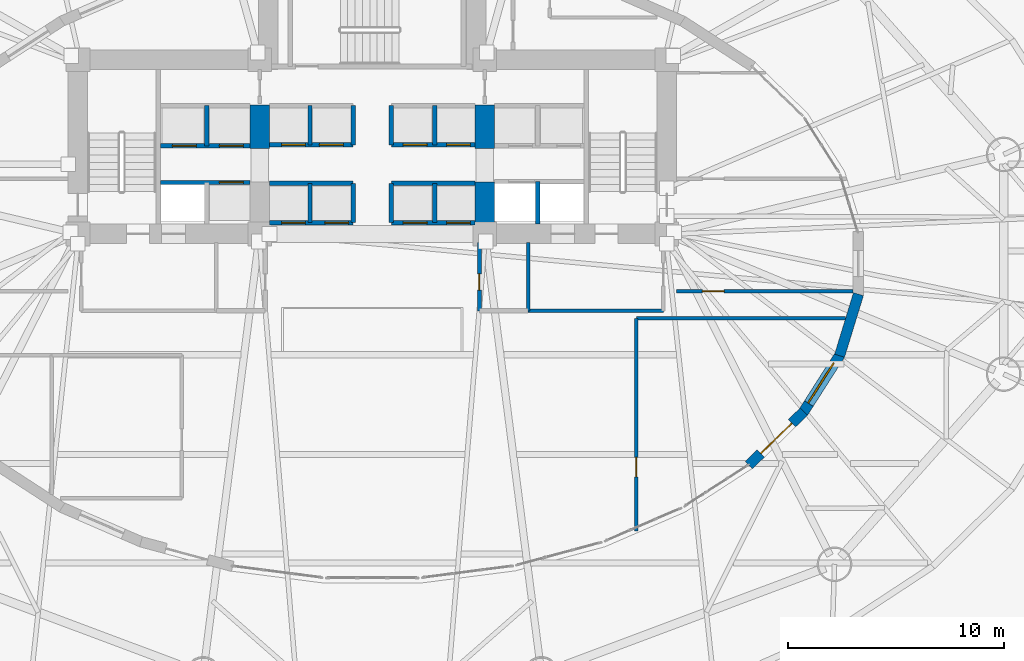
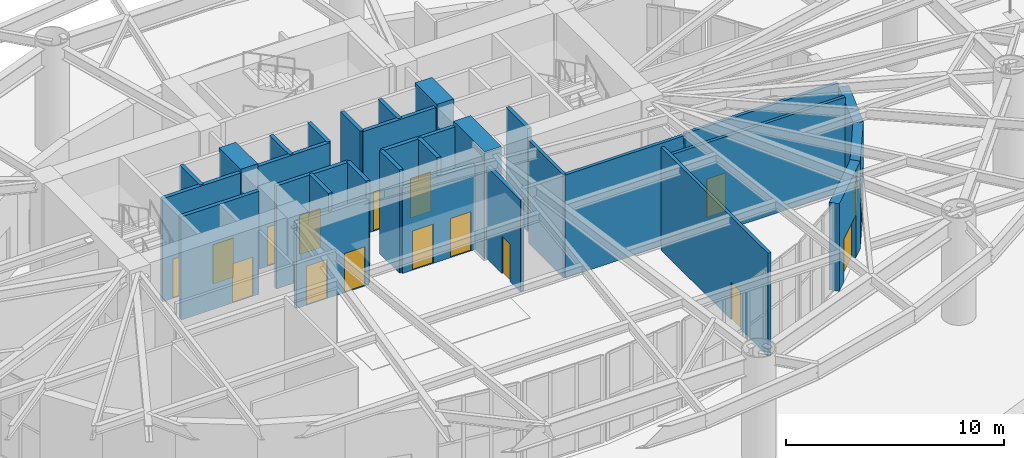
# One storey, part 14 of 21: 30 walls, 15 doors, 1 window, 16 openings.
"""IFC4 building model written with IfcOpenShell, lengths in metres."""

from ifc_helpers import new_model, si_unit, direction, frame, frame_2d, origin, place, context, subcontext, project, spatial, rectangle, extrude, material, layer, layer_set, type_object, element, fill, save


model = new_model("IFC4")

# Units and contexts
model_context = context("Model", 3, precision=1e-05, world=origin(), true_north=direction((0.0, 1.0)))
body_context = subcontext(model_context, "Body", "Model", "MODEL_VIEW")
ifc_project = project(units=[si_unit("LENGTHUNIT", "METRE"), si_unit("AREAUNIT", "SQUARE_METRE"), si_unit("VOLUMEUNIT", "CUBIC_METRE"), si_unit("PLANEANGLEUNIT", "RADIAN"), si_unit("MASSUNIT", "GRAM", prefix="KILO")], contexts=[model_context])

# Site, building, storey
site_placement = place(None, origin())
site = spatial("IfcSite", under=ifc_project, at=site_placement, CompositionType="ELEMENT")
building_placement = place(site_placement, origin())
building = spatial("IfcBuilding", under=site, at=building_placement, Name="Keldmark Tower", CompositionType="ELEMENT")
storey_placement = place(building_placement, origin())
storey = spatial("IfcBuildingStorey", under=building, at=storey_placement, Name="L00", CompositionType="ELEMENT", Elevation=0.0)

# Walls
ifc_material_1 = material(Name="Concrete C70/85", Category="concrete")
ifc_layer_1 = layer(ifc_material_1, 0.89990234375)
ifc_layer_set_1 = layer_set([ifc_layer_1], Name="Concrete C70/85")
wall_type_1 = type_object("IfcWallType", Name="Lower Core Shear Wall 900 mm", PredefinedType="SHEAR", material=ifc_layer_set_1)
wall_1_placement = place(storey_placement, frame((-5.199951171875, 5.35009765625, 0.0), z_axis=(0.0, 0.0, 1.0), x_axis=(0.0, 1.0, 0.0)))
element("IfcWall", 1, at=wall_1_placement, inside=storey, type_object=wall_type_1, Name="L00 West Core Inner Shear Pier North", PredefinedType="SHEAR", context=body_context, shape_type="SweptSolid", body=[
    extrude(rectangle(XDim=2.0, YDim=0.89990234375, at=frame_2d((1.0, 0.0))), origin(), (0.0, 0.0, 1.0), 6.0),
])
wall_2_placement = place(storey_placement, frame((5.199951171875, 0.949951171875, 0.0), z_axis=(0.0, 0.0, 1.0), x_axis=(0.0, 1.0, 0.0)))
element("IfcWall", 2, at=wall_2_placement, inside=storey, type_object=wall_type_1, Name="L00 East Core Inner Shear Pier South", PredefinedType="SHEAR", context=body_context, shape_type="SweptSolid", body=[
    extrude(rectangle(XDim=2.85009765625, YDim=0.89990234375, at=frame_2d((1.425048828125, 0.0))), origin(), (0.0, 0.0, 1.0), 6.0),
])
wall_3_placement = place(storey_placement, frame((5.199951171875, 5.35009765625, 0.0), z_axis=(0.0, 0.0, 1.0), x_axis=(0.0, 1.0, 0.0)))
element("IfcWall", 3, at=wall_3_placement, inside=storey, type_object=wall_type_1, Name="L00 East Core Inner Shear Pier North", PredefinedType="SHEAR", context=body_context, shape_type="SweptSolid", body=[
    extrude(rectangle(XDim=2.0, YDim=0.89990234375, at=frame_2d((1.0, 0.0))), origin(), (0.0, 0.0, 1.0), 6.0),
])

# Wall, opening, door
ifc_material_2 = material(Name="Ironspot Manganese Brick and Kasota Buff Limestone Cavity Assembly", Category="masonry")
ifc_layer_2 = layer(ifc_material_2, 0.47998046875)
ifc_layer_set_2 = layer_set([ifc_layer_2], Name="Ironspot Manganese Brick and Kasota Buff Limestone Cavity Assembly")
wall_type_2 = type_object("IfcWallType", Name="Podium Brick and Limestone Cavity Wall 480 mm", PredefinedType="STANDARD", material=ifc_layer_set_2)
wall_4_placement = place(storey_placement, frame((19.940673828125, -6.8046875, 0.0), z_axis=(0.0, 0.0, 1.0), x_axis=(-0.717307843808, -0.696756382971, 0.0)))
wall_4 = element("IfcWall", 4, at=wall_4_placement, inside=storey, type_object=wall_type_2, Name="L00 Wintergarden Brick Pier Wall 29", PredefinedType="STANDARD", context=body_context, shape_type="SweptSolid", body=[
    extrude(rectangle(XDim=3.552001953125, YDim=0.47998046875, at=frame_2d((1.77587890625, 0.0))), origin(), (0.0, 0.0, 1.0), 4.9130859375),
])
opening_1_placement = place(wall_4_placement, frame((0.77587890625, 0.0, 0.0)))
opening_1 = element("IfcOpeningElement", 5, at=opening_1_placement, cuts=wall_4, Name="Opening ED-01", PredefinedType="OPENING", context=body_context, shape_type="SweptSolid", body=[
    extrude(rectangle(XDim=2.0, YDim=2.39990234375, at=frame_2d((1.0, 1.199951171875))), frame((0.0, 0.25, 0.0), z_axis=(0.0, -1.0, 0.0), x_axis=(1.0, 0.0, 0.0)), (0.0, 0.0, 1.0), 0.5),
])
ifc_material_3 = material(Name="Thermally Broken Painted Aluminum and Laminated Safety Glass", Category="aluminium")
door_type_1 = type_object("IfcDoorType", Name="Main Revolving Vestibule Swing Door 2000x2400", OperationType="DOUBLE_DOOR_DOUBLE_SWING", PredefinedType="DOOR", material=ifc_material_3)
door_1_placement = place(opening_1_placement, origin())
door_1 = element("IfcDoor", 6, at=door_1_placement, inside=storey, type_object=door_type_1, Name="L00 Marquette Plaza Main Entrance Door East", OperationType="DOUBLE_DOOR_DOUBLE_SWING", OverallHeight=2.39990234375, OverallWidth=2.0, PredefinedType="DOOR", context=body_context, shape_type="SweptSolid", body=[
    extrude(rectangle(XDim=2.0, YDim=2.39990234375, at=frame_2d((1.0, 1.199951171875))), frame((0.0, 0.02490234375, 0.0), z_axis=(0.0, -1.0, 0.0), x_axis=(1.0, 0.0, 0.0)), (0.0, 0.0, 1.0), 0.050048828125),
])
fill(opening_1, door_1)

# Wall, opening, window
wall_5_placement = place(storey_placement, frame((21.615966796875, -4.1669921875, 0.0), z_axis=(0.0, 0.0, 1.0), x_axis=(-0.537898487212, -0.843009618839, 0.0)))
wall_5 = element("IfcWall", 7, at=wall_5_placement, inside=storey, type_object=wall_type_2, Name="L00 Wintergarden Brick Pier Wall 30", PredefinedType="STANDARD", context=body_context, shape_type="SweptSolid", body=[
    extrude(rectangle(XDim=3.179931640625, YDim=0.47998046875, at=frame_2d((1.58984375, 0.0))), origin(), (0.0, 0.0, 1.0), 4.9130859375),
])
opening_2_placement = place(wall_5_placement, frame((0.489990234375, 0.0, 0.85009765625)))
opening_2 = element("IfcOpeningElement", 8, at=opening_2_placement, cuts=wall_5, Name="Opening W-01", PredefinedType="OPENING", context=body_context, shape_type="SweptSolid", body=[
    extrude(rectangle(XDim=2.199951171875, YDim=1.949951171875, at=frame_2d((1.10009765625, 0.97509765625))), frame((0.0, 0.25, 0.0), z_axis=(0.0, -1.0, 0.0), x_axis=(1.0, 0.0, 0.0)), (0.0, 0.0, 1.0), 0.5),
])
ifc_material_4 = material(Name="Thermally Broken Anodized Aluminum and Triple Low-E Argon Glazing", Category="aluminium")
window_type = type_object("IfcWindowType", Name="Podium Arched-Head Punched Window 2200x1950", PartitioningType="SINGLE_PANEL", PredefinedType="WINDOW", material=ifc_material_4)
window_placement = place(opening_2_placement, origin())
window = element("IfcWindow", 9, at=window_placement, inside=storey, type_object=window_type, Name="L00 Wintergarden Punched Window 30", OverallHeight=1.949951171875, OverallWidth=2.199951171875, PartitioningType="SINGLE_PANEL", PredefinedType="WINDOW", context=body_context, shape_type="SweptSolid", body=[
    extrude(rectangle(XDim=2.199951171875, YDim=1.949951171875, at=frame_2d((1.10009765625, 0.97509765625))), frame((0.0, -0.010009765625, 0.0), z_axis=(0.0, -1.0, 0.0), x_axis=(1.0, 0.0, 0.0)), (0.0, 0.0, 1.0), 0.06005859375),
])
fill(opening_2, window)

# Walls
wall_6_placement = place(storey_placement, frame((22.460693359375, -1.38037109375, 0.0), z_axis=(0.0, 0.0, 1.0), x_axis=(-0.29302499195, -0.956104781963, 0.0)))
element("IfcWall", 10, at=wall_6_placement, inside=storey, type_object=wall_type_2, Name="L00 Wintergarden Brick Pier Wall 31", PredefinedType="STANDARD", context=body_context, shape_type="SweptSolid", body=[
    extrude(rectangle(XDim=2.97607421875, YDim=0.47998046875, at=frame_2d((1.488037109375, 0.0))), origin(), (0.0, 0.0, 1.0), 4.9130859375),
])
ifc_material_5 = material(Name="Type X Fire-Rated Gypsum Partition Assembly", Category="gypsum")
ifc_layer_3 = layer(ifc_material_5, 0.1650390625)
ifc_layer_set_3 = layer_set([ifc_layer_3], Name="Type X Fire-Rated Gypsum Partition Assembly")
wall_type_3 = type_object("IfcWallType", Name="Rated Partition 165 mm", PredefinedType="PARTITIONING", material=ifc_layer_set_3)
wall_7_placement = place(storey_placement, frame((7.199951171875, -2.14990234375, 0.0), z_axis=(0.0, 0.0, 1.0), x_axis=(1.0, 0.0, 0.0)))
element("IfcWall", 11, at=wall_7_placement, inside=storey, type_object=wall_type_3, Name="L00 Rated Partition 165 mm FSAE-E-S", PredefinedType="PARTITIONING", context=body_context, shape_type="SweptSolid", body=[
    extrude(rectangle(XDim=6.25, YDim=0.1650390625, at=frame_2d((3.125, 0.0))), origin(), (0.0, 0.0, 1.0), 5.780029296875),
])
wall_8_placement = place(storey_placement, frame((7.199951171875, -2.14990234375, 0.0), z_axis=(0.0, 0.0, 1.0), x_axis=(0.0, 1.0, 0.0)))
element("IfcWall", 12, at=wall_8_placement, inside=storey, type_object=wall_type_3, Name="L00 Rated Partition 165 mm FSAE-E-W", PredefinedType="PARTITIONING", context=body_context, shape_type="SweptSolid", body=[
    extrude(rectangle(XDim=3.14990234375, YDim=0.1650390625, at=frame_2d((1.574951171875, 0.0))), origin(), (0.0, 0.0, 1.0), 5.780029296875),
])

# Wall, opening, door
wall_9_placement = place(storey_placement, frame((12.199951171875, -12.320068359375, 0.0), z_axis=(0.0, 0.0, 1.0), x_axis=(0.0, 1.0, 0.0)))
wall_9 = element("IfcWall", 13, at=wall_9_placement, inside=storey, type_object=wall_type_3, Name="L00 Rated Partition 165 mm RET-E-W", PredefinedType="PARTITIONING", context=body_context, shape_type="SweptSolid", body=[
    extrude(rectangle(XDim=9.820068359375, YDim=0.1650390625, at=frame_2d((4.91015625, 0.0))), origin(), (0.0, 0.0, 1.0), 5.780029296875),
])
opening_3_placement = place(wall_9_placement, frame((2.5, 0.0, 0.0)))
opening_3 = element("IfcOpeningElement", 14, at=opening_3_placement, cuts=wall_9, Name="Opening D-IN090", PredefinedType="OPENING", context=body_context, shape_type="SweptSolid", body=[
    extrude(rectangle(XDim=0.89990234375, YDim=2.10009765625, at=frame_2d((0.449951171875, 1.050048828125))), frame((0.0, 0.092529296875, 0.0), z_axis=(0.0, -1.0, 0.0), x_axis=(1.0, 0.0, 0.0)), (0.0, 0.0, 1.0), 0.18505859375),
])
ifc_material_6 = material(Name="Stained American White Oak Veneer", Category="wood")
door_type_2 = type_object("IfcDoorType", Name="Interior Door 900x2100", OperationType="NOTDEFINED", PredefinedType="DOOR", material=ifc_material_6)
door_2_placement = place(opening_3_placement, origin())
door_2 = element("IfcDoor", 15, at=door_2_placement, inside=storey, type_object=door_type_2, Name="L00 Interior Door 900x2100 D-RETE-IN-L00", OperationType="SINGLE_SWING_LEFT", OverallHeight=2.10009765625, OverallWidth=0.89990234375, PredefinedType="DOOR", context=body_context, shape_type="SweptSolid", body=[
    extrude(rectangle(XDim=0.89990234375, YDim=2.10009765625, at=frame_2d((0.449951171875, 1.050048828125))), frame((0.0, 0.02490234375, 0.0), z_axis=(0.0, -1.0, 0.0), x_axis=(1.0, 0.0, 0.0)), (0.0, 0.0, 1.0), 0.050048828125),
])
fill(opening_3, door_2)

# Wall
wall_10_placement = place(storey_placement, frame((12.199951171875, -2.5, 0.0), z_axis=(0.0, 0.0, 1.0), x_axis=(1.0, 0.0, 0.0)))
element("IfcWall", 16, at=wall_10_placement, inside=storey, type_object=wall_type_3, Name="L00 Rated Partition 165 mm RET-E-N", PredefinedType="PARTITIONING", context=body_context, shape_type="SweptSolid", body=[
    extrude(rectangle(XDim=9.658203125, YDim=0.1650390625, at=frame_2d((4.8291015625, 0.0))), origin(), (0.0, 0.0, 1.0), 5.23291015625),
])

# Wall, opening, door
wall_11_placement = place(storey_placement, frame((14.050048828125, -1.25, 0.0), z_axis=(0.0, 0.0, 1.0), x_axis=(1.0, 0.0, 0.0)))
wall_11 = element("IfcWall", 17, at=wall_11_placement, inside=storey, type_object=wall_type_3, Name="L00 Rated Partition 165 mm EXE-S", PredefinedType="PARTITIONING", context=body_context, shape_type="SweptSolid", body=[
    extrude(rectangle(XDim=8.152099609375, YDim=0.1650390625, at=frame_2d((4.076171875, 0.0))), origin(), (0.0, 0.0, 1.0), 5.14794921875),
])
opening_4_placement = place(wall_11_placement, frame((1.199951171875, 0.0, 0.0)))
opening_4 = element("IfcOpeningElement", 18, at=opening_4_placement, cuts=wall_11, Name="Opening D-FD100", PredefinedType="OPENING", context=body_context, shape_type="SweptSolid", body=[
    extrude(rectangle(XDim=1.0, YDim=2.14990234375, at=frame_2d((0.5, 1.074951171875))), frame((0.0, 0.092529296875, 0.0), z_axis=(0.0, -1.0, 0.0), x_axis=(1.0, 0.0, 0.0)), (0.0, 0.0, 1.0), 0.18505859375),
])
ifc_material_7 = material(Name="Hollow Metal Fire-Rated Corridor Door", Category="metal")
door_type_3 = type_object("IfcDoorType", Name="Fire Door 1000x2150", OperationType="NOTDEFINED", PredefinedType="DOOR", material=ifc_material_7)
door_3_placement = place(opening_4_placement, origin())
door_3 = element("IfcDoor", 19, at=door_3_placement, inside=storey, type_object=door_type_3, Name="L00 Fire Door 1000x2150 D-EXES-OUT-L00", OperationType="SINGLE_SWING_RIGHT", OverallHeight=2.14990234375, OverallWidth=1.0, PredefinedType="DOOR", context=body_context, shape_type="SweptSolid", body=[
    extrude(rectangle(XDim=1.0, YDim=2.14990234375, at=frame_2d((0.5, 1.074951171875))), frame((0.0, 0.02490234375, 0.0), z_axis=(0.0, -1.0, 0.0), x_axis=(1.0, 0.0, 0.0)), (0.0, 0.0, 1.0), 0.050048828125),
])
fill(opening_4, door_3)

ifc_material_8 = material(Name="Fire-Resistant Type X Gypsum Shaftliner Coreboard", Category="gypsum")
ifc_layer_4 = layer(ifc_material_8, 0.199951171875)
ifc_layer_set_4 = layer_set([ifc_layer_4], Name="Fire-Resistant Type X Gypsum Shaftliner Coreboard")
wall_type_4 = type_object("IfcWallType", Name="Shaft Wall 200 mm", PredefinedType="SOLIDWALL", material=ifc_layer_set_4)
wall_12_placement = place(storey_placement, frame((4.949951171875, -2.14990234375, 0.0), z_axis=(0.0, 0.0, 1.0), x_axis=(0.0, 1.0, 0.0)))
wall_12 = element("IfcWall", 20, at=wall_12_placement, inside=storey, type_object=wall_type_4, Name="L00 Shaft Wall 200 mm RIS-SE-W", PredefinedType="SOLIDWALL", context=body_context, shape_type="SweptSolid", body=[
    extrude(rectangle(XDim=3.14990234375, YDim=0.199951171875, at=frame_2d((1.574951171875, 0.0))), origin(), (0.0, 0.0, 1.0), 5.14794921875),
])
opening_5_placement = place(wall_12_placement, frame((0.949951171875, 0.0, 0.0)))
opening_5 = element("IfcOpeningElement", 21, at=opening_5_placement, cuts=wall_12, Name="Opening D-RS075", PredefinedType="OPENING", context=body_context, shape_type="SweptSolid", body=[
    extrude(rectangle(XDim=0.75, YDim=2.10009765625, at=frame_2d((0.375, 1.050048828125))), frame((0.0, 0.10986328125, 0.0), z_axis=(0.0, -1.0, 0.0), x_axis=(1.0, 0.0, 0.0)), (0.0, 0.0, 1.0), 0.219970703125),
])
ifc_material_9 = material(Name="Galvanized Fire-Rated Access Leaf", Category="metal")
door_type_4 = type_object("IfcDoorType", Name="Riser Access Door 750x2100", OperationType="NOTDEFINED", PredefinedType="DOOR", material=ifc_material_9)
door_4_placement = place(opening_5_placement, origin())
door_4 = element("IfcDoor", 22, at=door_4_placement, inside=storey, type_object=door_type_4, Name="L00 Riser Access Door 750x2100 D-RISSE-L00", OperationType="SINGLE_SWING_LEFT", OverallHeight=2.10009765625, OverallWidth=0.75, PredefinedType="DOOR", context=body_context, shape_type="SweptSolid", body=[
    extrude(rectangle(XDim=0.75, YDim=2.10009765625, at=frame_2d((0.375, 1.050048828125))), frame((0.0, 0.02490234375, 0.0), z_axis=(0.0, -1.0, 0.0), x_axis=(1.0, 0.0, 0.0)), (0.0, 0.0, 1.0), 0.050048828125),
])
fill(opening_5, door_4)

wall_13_placement = place(storey_placement, frame((-9.780029296875, 3.780029296875, 0.0), z_axis=(0.0, 0.0, 1.0), x_axis=(1.0, 0.0, 0.0)))
wall_13 = element("IfcWall", 23, at=wall_13_placement, inside=storey, type_object=wall_type_4, Name="L00 Shaft Wall 200 mm HW-W-S", PredefinedType="SOLIDWALL", context=body_context, shape_type="SweptSolid", body=[
    extrude(rectangle(XDim=4.130126953125, YDim=0.199951171875, at=frame_2d((2.06494140625, 0.0))), origin(), (0.0, 0.0, 1.0), 5.780029296875),
])
opening_6_placement = place(wall_13_placement, frame((2.719970703125, 0.0, 0.0)))
opening_6 = element("IfcOpeningElement", 24, at=opening_6_placement, cuts=wall_13, Name="Opening LD-110", PredefinedType="OPENING", context=body_context, shape_type="SweptSolid", body=[
    extrude(rectangle(XDim=1.10009765625, YDim=2.199951171875, at=frame_2d((0.550048828125, 1.10009765625))), frame((0.0, 0.10986328125, 0.0), z_axis=(0.0, -1.0, 0.0), x_axis=(1.0, 0.0, 0.0)), (0.0, 0.0, 1.0), 0.219970703125),
])
ifc_material_10 = material(Name="Brushed Bronze Hoistway Sliding Leaf", Category="metal")
door_type_5 = type_object("IfcDoorType", Name="Lift Landing Sliding Door 1100x2200", OperationType="SLIDING_TO_LEFT", PredefinedType="DOOR", material=ifc_material_10)
door_5_placement = place(opening_6_placement, origin())
door_5 = element("IfcDoor", 25, at=door_5_placement, inside=storey, type_object=door_type_5, Name="L00 Lift Landing Sliding Door 1100x2200 LD-EL-H3-L00", OperationType="SLIDING_TO_LEFT", OverallHeight=2.199951171875, OverallWidth=1.10009765625, PredefinedType="DOOR", context=body_context, shape_type="SweptSolid", body=[
    extrude(rectangle(XDim=1.10009765625, YDim=2.199951171875, at=frame_2d((0.550048828125, 1.10009765625))), frame((0.0, 0.02490234375, 0.0), z_axis=(0.0, -1.0, 0.0), x_axis=(1.0, 0.0, 0.0)), (0.0, 0.0, 1.0), 0.050048828125),
])
fill(opening_6, door_5)

# Wall, openings, doors
wall_14_placement = place(storey_placement, frame((-9.780029296875, 5.469970703125, 0.0), z_axis=(0.0, 0.0, 1.0), x_axis=(1.0, 0.0, 0.0)))
wall_14 = element("IfcWall", 26, at=wall_14_placement, inside=storey, type_object=wall_type_4, Name="L00 Shaft Wall 200 mm HW-W-N", PredefinedType="SOLIDWALL", context=body_context, shape_type="SweptSolid", body=[
    extrude(rectangle(XDim=4.130126953125, YDim=0.199951171875, at=frame_2d((2.06494140625, 0.0))), origin(), (0.0, 0.0, 1.0), 5.780029296875),
])
opening_7_placement = place(wall_14_placement, frame((0.550048828125, 0.0, 0.0)))
opening_7 = element("IfcOpeningElement", 27, at=opening_7_placement, cuts=wall_14, Name="Opening LD-110", PredefinedType="OPENING", context=body_context, shape_type="SweptSolid", body=[
    extrude(rectangle(XDim=1.10009765625, YDim=2.199951171875, at=frame_2d((0.550048828125, 1.10009765625))), frame((0.0, 0.10986328125, 0.0), z_axis=(0.0, -1.0, 0.0), x_axis=(1.0, 0.0, 0.0)), (0.0, 0.0, 1.0), 0.219970703125),
])
opening_8_placement = place(wall_14_placement, frame((2.719970703125, 0.0, 0.0)))
opening_8 = element("IfcOpeningElement", 28, at=opening_8_placement, cuts=wall_14, Name="Opening LD-110", PredefinedType="OPENING", context=body_context, shape_type="SweptSolid", body=[
    extrude(rectangle(XDim=1.10009765625, YDim=2.199951171875, at=frame_2d((0.550048828125, 1.10009765625))), frame((0.0, 0.10986328125, 0.0), z_axis=(0.0, -1.0, 0.0), x_axis=(1.0, 0.0, 0.0)), (0.0, 0.0, 1.0), 0.219970703125),
])
door_6_placement = place(opening_7_placement, origin())
door_6 = element("IfcDoor", 29, at=door_6_placement, inside=storey, type_object=door_type_5, Name="L00 Lift Landing Sliding Door 1100x2200 LD-EL-H1-L00", OperationType="SLIDING_TO_LEFT", OverallHeight=2.199951171875, OverallWidth=1.10009765625, PredefinedType="DOOR", context=body_context, shape_type="SweptSolid", body=[
    extrude(rectangle(XDim=1.10009765625, YDim=2.199951171875, at=frame_2d((0.550048828125, 1.10009765625))), frame((0.0, 0.02490234375, 0.0), z_axis=(0.0, -1.0, 0.0), x_axis=(1.0, 0.0, 0.0)), (0.0, 0.0, 1.0), 0.050048828125),
])
fill(opening_7, door_6)
door_7_placement = place(opening_8_placement, origin())
door_7 = element("IfcDoor", 30, at=door_7_placement, inside=storey, type_object=door_type_5, Name="L00 Lift Landing Sliding Door 1100x2200 LD-EL-H2-L00", OperationType="SLIDING_TO_LEFT", OverallHeight=2.199951171875, OverallWidth=1.10009765625, PredefinedType="DOOR", context=body_context, shape_type="SweptSolid", body=[
    extrude(rectangle(XDim=1.10009765625, YDim=2.199951171875, at=frame_2d((0.550048828125, 1.10009765625))), frame((0.0, 0.02490234375, 0.0), z_axis=(0.0, -1.0, 0.0), x_axis=(1.0, 0.0, 0.0)), (0.0, 0.0, 1.0), 0.050048828125),
])
fill(opening_8, door_7)

# Walls
wall_15_placement = place(storey_placement, frame((-7.64990234375, 5.469970703125, 0.0), z_axis=(0.0, 0.0, 1.0), x_axis=(0.0, 1.0, 0.0)))
element("IfcWall", 31, at=wall_15_placement, inside=storey, type_object=wall_type_4, Name="L00 Shaft Wall 200 mm HW-W-NM", PredefinedType="SOLIDWALL", context=body_context, shape_type="SweptSolid", body=[
    extrude(rectangle(XDim=1.860107421875, YDim=0.199951171875, at=frame_2d((0.93017578125, 0.0))), origin(), (0.0, 0.0, 1.0), 5.780029296875),
])
wall_16_placement = place(storey_placement, frame((7.64990234375, 1.85009765625, 0.0), z_axis=(0.0, 0.0, 1.0), x_axis=(0.0, 1.0, 0.0)))
element("IfcWall", 32, at=wall_16_placement, inside=storey, type_object=wall_type_4, Name="L00 Shaft Wall 200 mm HW-E-M", PredefinedType="SOLIDWALL", context=body_context, shape_type="SweptSolid", body=[
    extrude(rectangle(XDim=1.969970703125, YDim=0.199951171875, at=frame_2d((0.98486328125, 0.0))), origin(), (0.0, 0.0, 1.0), 5.780029296875),
])

# Wall, openings, doors
wall_17_placement = place(storey_placement, frame((-4.739990234375, 1.919921875, 0.0), z_axis=(0.0, 0.0, 1.0), x_axis=(1.0, 0.0, 0.0)))
wall_17 = element("IfcWall", 33, at=wall_17_placement, inside=storey, type_object=wall_type_4, Name="L00 Shaft Wall 200 mm LOW-S-W", PredefinedType="SOLIDWALL", context=body_context, shape_type="SweptSolid", body=[
    extrude(rectangle(XDim=3.860107421875, YDim=0.199951171875, at=frame_2d((1.93017578125, 0.0))), origin(), (0.0, 0.0, 1.0), 4.77001953125),
])
opening_9_placement = place(wall_17_placement, frame((0.550048828125, 0.0, 0.0)))
opening_9 = element("IfcOpeningElement", 34, at=opening_9_placement, cuts=wall_17, Name="Opening LD-110", PredefinedType="OPENING", context=body_context, shape_type="SweptSolid", body=[
    extrude(rectangle(XDim=1.10009765625, YDim=2.199951171875, at=frame_2d((0.550048828125, 1.10009765625))), frame((0.0, 0.10986328125, 0.0), z_axis=(0.0, -1.0, 0.0), x_axis=(1.0, 0.0, 0.0)), (0.0, 0.0, 1.0), 0.219970703125),
])
opening_10_placement = place(wall_17_placement, frame((2.550048828125, 0.0, 0.0)))
opening_10 = element("IfcOpeningElement", 35, at=opening_10_placement, cuts=wall_17, Name="Opening LD-110", PredefinedType="OPENING", context=body_context, shape_type="SweptSolid", body=[
    extrude(rectangle(XDim=1.10009765625, YDim=2.199951171875, at=frame_2d((0.550048828125, 1.10009765625))), frame((0.0, 0.10986328125, 0.0), z_axis=(0.0, -1.0, 0.0), x_axis=(1.0, 0.0, 0.0)), (0.0, 0.0, 1.0), 0.219970703125),
])
door_8_placement = place(opening_9_placement, origin())
door_8 = element("IfcDoor", 36, at=door_8_placement, inside=storey, type_object=door_type_5, Name="L00 Lift Landing Sliding Door 1100x2200 LD-EL-L1-L00", OperationType="SLIDING_TO_LEFT", OverallHeight=2.199951171875, OverallWidth=1.10009765625, PredefinedType="DOOR", context=body_context, shape_type="SweptSolid", body=[
    extrude(rectangle(XDim=1.10009765625, YDim=2.199951171875, at=frame_2d((0.550048828125, 1.10009765625))), frame((0.0, 0.02490234375, 0.0), z_axis=(0.0, -1.0, 0.0), x_axis=(1.0, 0.0, 0.0)), (0.0, 0.0, 1.0), 0.050048828125),
])
fill(opening_9, door_8)
door_9_placement = place(opening_10_placement, origin())
door_9 = element("IfcDoor", 37, at=door_9_placement, inside=storey, type_object=door_type_5, Name="L00 Lift Landing Sliding Door 1100x2200 LD-EL-L2-L00", OperationType="SLIDING_TO_LEFT", OverallHeight=2.199951171875, OverallWidth=1.10009765625, PredefinedType="DOOR", context=body_context, shape_type="SweptSolid", body=[
    extrude(rectangle(XDim=1.10009765625, YDim=2.199951171875, at=frame_2d((0.550048828125, 1.10009765625))), frame((0.0, 0.02490234375, 0.0), z_axis=(0.0, -1.0, 0.0), x_axis=(1.0, 0.0, 0.0)), (0.0, 0.0, 1.0), 0.050048828125),
])
fill(opening_10, door_9)

wall_18_placement = place(storey_placement, frame((0.8798828125, 1.919921875, 0.0), z_axis=(0.0, 0.0, 1.0), x_axis=(1.0, 0.0, 0.0)))
wall_18 = element("IfcWall", 38, at=wall_18_placement, inside=storey, type_object=wall_type_4, Name="L00 Shaft Wall 200 mm LOW-S-E", PredefinedType="SOLIDWALL", context=body_context, shape_type="SweptSolid", body=[
    extrude(rectangle(XDim=3.860107421875, YDim=0.199951171875, at=frame_2d((1.93017578125, 0.0))), origin(), (0.0, 0.0, 1.0), 4.77001953125),
])
opening_11_placement = place(wall_18_placement, frame((0.550048828125, 0.0, 0.0)))
opening_11 = element("IfcOpeningElement", 39, at=opening_11_placement, cuts=wall_18, Name="Opening LD-110", PredefinedType="OPENING", context=body_context, shape_type="SweptSolid", body=[
    extrude(rectangle(XDim=1.10009765625, YDim=2.199951171875, at=frame_2d((0.550048828125, 1.10009765625))), frame((0.0, 0.10986328125, 0.0), z_axis=(0.0, -1.0, 0.0), x_axis=(1.0, 0.0, 0.0)), (0.0, 0.0, 1.0), 0.219970703125),
])
opening_12_placement = place(wall_18_placement, frame((2.550048828125, 0.0, 0.0)))
opening_12 = element("IfcOpeningElement", 40, at=opening_12_placement, cuts=wall_18, Name="Opening LD-110", PredefinedType="OPENING", context=body_context, shape_type="SweptSolid", body=[
    extrude(rectangle(XDim=1.10009765625, YDim=2.199951171875, at=frame_2d((0.550048828125, 1.10009765625))), frame((0.0, 0.10986328125, 0.0), z_axis=(0.0, -1.0, 0.0), x_axis=(1.0, 0.0, 0.0)), (0.0, 0.0, 1.0), 0.219970703125),
])
door_10_placement = place(opening_11_placement, origin())
door_10 = element("IfcDoor", 41, at=door_10_placement, inside=storey, type_object=door_type_5, Name="L00 Lift Landing Sliding Door 1100x2200 LD-EL-L3-L00", OperationType="SLIDING_TO_LEFT", OverallHeight=2.199951171875, OverallWidth=1.10009765625, PredefinedType="DOOR", context=body_context, shape_type="SweptSolid", body=[
    extrude(rectangle(XDim=1.10009765625, YDim=2.199951171875, at=frame_2d((0.550048828125, 1.10009765625))), frame((0.0, 0.02490234375, 0.0), z_axis=(0.0, -1.0, 0.0), x_axis=(1.0, 0.0, 0.0)), (0.0, 0.0, 1.0), 0.050048828125),
])
fill(opening_11, door_10)
door_11_placement = place(opening_12_placement, origin())
door_11 = element("IfcDoor", 42, at=door_11_placement, inside=storey, type_object=door_type_5, Name="L00 Lift Landing Sliding Door 1100x2200 LD-EL-L4-L00", OperationType="SLIDING_TO_LEFT", OverallHeight=2.199951171875, OverallWidth=1.10009765625, PredefinedType="DOOR", context=body_context, shape_type="SweptSolid", body=[
    extrude(rectangle(XDim=1.10009765625, YDim=2.199951171875, at=frame_2d((0.550048828125, 1.10009765625))), frame((0.0, 0.02490234375, 0.0), z_axis=(0.0, -1.0, 0.0), x_axis=(1.0, 0.0, 0.0)), (0.0, 0.0, 1.0), 0.050048828125),
])
fill(opening_12, door_11)

# Walls
for number, where, z_axis, x_axis, name in (
    (43, (-4.739990234375, 3.739990234375, 0.0), (0.0, 0.0, 1.0), (1.0, 0.0, 0.0), "L00 Shaft Wall 200 mm LOW-N-W"),
    (44, (0.8798828125, 3.739990234375, 0.0), (0.0, 0.0, 1.0), (1.0, 0.0, 0.0), "L00 Shaft Wall 200 mm LOW-N-E"),
):
    element("IfcWall", number, at=place(storey_placement, frame(where, z_axis=z_axis, x_axis=x_axis)), inside=storey, type_object=wall_type_4, Name=name, PredefinedType="SOLIDWALL", context=body_context, shape_type="SweptSolid", body=[
        extrude(rectangle(XDim=3.860107421875, YDim=0.199951171875, at=frame_2d((1.93017578125, 0.0))), origin(), (0.0, 0.0, 1.0), 5.780029296875),
    ])
for number, where, z_axis, x_axis, name in (
    (45, (-2.8798828125, 1.919921875, 0.0), (0.0, 0.0, 1.0), (0.0, 1.0, 0.0), "L00 Shaft Wall 200 mm LOW-M-W"),
    (46, (2.8798828125, 1.919921875, 0.0), (0.0, 0.0, 1.0), (0.0, 1.0, 0.0), "L00 Shaft Wall 200 mm LOW-M-E"),
    (47, (-0.8798828125, 1.919921875, 0.0), (0.0, 0.0, 1.0), (0.0, 1.0, 0.0), "L00 Shaft Wall 200 mm LOW-C-W"),
    (48, (0.8798828125, 1.919921875, 0.0), (0.0, 0.0, 1.0), (0.0, 1.0, 0.0), "L00 Shaft Wall 200 mm LOW-C-E"),
):
    element("IfcWall", number, at=place(storey_placement, frame(where, z_axis=z_axis, x_axis=x_axis)), inside=storey, type_object=wall_type_4, Name=name, PredefinedType="SOLIDWALL", context=body_context, shape_type="SweptSolid", body=[
        extrude(rectangle(XDim=1.820068359375, YDim=0.199951171875, at=frame_2d((0.91015625, 0.0))), origin(), (0.0, 0.0, 1.0), 5.780029296875),
    ])

# Wall, openings, doors
wall_19_placement = place(storey_placement, frame((-4.739990234375, 5.52001953125, 0.0), z_axis=(0.0, 0.0, 1.0), x_axis=(1.0, 0.0, 0.0)))
wall_19 = element("IfcWall", 49, at=wall_19_placement, inside=storey, type_object=wall_type_4, Name="L00 Shaft Wall 200 mm MID-S-W", PredefinedType="SOLIDWALL", context=body_context, shape_type="SweptSolid", body=[
    extrude(rectangle(XDim=3.860107421875, YDim=0.199951171875, at=frame_2d((1.93017578125, 0.0))), origin(), (0.0, 0.0, 1.0), 5.780029296875),
])
opening_13_placement = place(wall_19_placement, frame((0.550048828125, 0.0, 0.0)))
opening_13 = element("IfcOpeningElement", 50, at=opening_13_placement, cuts=wall_19, Name="Opening LD-110", PredefinedType="OPENING", context=body_context, shape_type="SweptSolid", body=[
    extrude(rectangle(XDim=1.10009765625, YDim=2.199951171875, at=frame_2d((0.550048828125, 1.10009765625))), frame((0.0, 0.10986328125, 0.0), z_axis=(0.0, -1.0, 0.0), x_axis=(1.0, 0.0, 0.0)), (0.0, 0.0, 1.0), 0.219970703125),
])
opening_14_placement = place(wall_19_placement, frame((2.300048828125, 0.0, 0.0)))
opening_14 = element("IfcOpeningElement", 51, at=opening_14_placement, cuts=wall_19, Name="Opening LD-110", PredefinedType="OPENING", context=body_context, shape_type="SweptSolid", body=[
    extrude(rectangle(XDim=1.10009765625, YDim=2.199951171875, at=frame_2d((0.550048828125, 1.10009765625))), frame((0.0, 0.10986328125, 0.0), z_axis=(0.0, -1.0, 0.0), x_axis=(1.0, 0.0, 0.0)), (0.0, 0.0, 1.0), 0.219970703125),
])
door_12_placement = place(opening_13_placement, origin())
door_12 = element("IfcDoor", 52, at=door_12_placement, inside=storey, type_object=door_type_5, Name="L00 Lift Landing Sliding Door 1100x2200 LD-EL-M1-L00", OperationType="SLIDING_TO_LEFT", OverallHeight=2.199951171875, OverallWidth=1.10009765625, PredefinedType="DOOR", context=body_context, shape_type="SweptSolid", body=[
    extrude(rectangle(XDim=1.10009765625, YDim=2.199951171875, at=frame_2d((0.550048828125, 1.10009765625))), frame((0.0, 0.02490234375, 0.0), z_axis=(0.0, -1.0, 0.0), x_axis=(1.0, 0.0, 0.0)), (0.0, 0.0, 1.0), 0.050048828125),
])
fill(opening_13, door_12)
door_13_placement = place(opening_14_placement, origin())
door_13 = element("IfcDoor", 53, at=door_13_placement, inside=storey, type_object=door_type_5, Name="L00 Lift Landing Sliding Door 1100x2200 LD-EL-M2-L00", OperationType="SLIDING_TO_LEFT", OverallHeight=2.199951171875, OverallWidth=1.10009765625, PredefinedType="DOOR", context=body_context, shape_type="SweptSolid", body=[
    extrude(rectangle(XDim=1.10009765625, YDim=2.199951171875, at=frame_2d((0.550048828125, 1.10009765625))), frame((0.0, 0.02490234375, 0.0), z_axis=(0.0, -1.0, 0.0), x_axis=(1.0, 0.0, 0.0)), (0.0, 0.0, 1.0), 0.050048828125),
])
fill(opening_14, door_13)

wall_20_placement = place(storey_placement, frame((0.8798828125, 5.52001953125, 0.0), z_axis=(0.0, 0.0, 1.0), x_axis=(1.0, 0.0, 0.0)))
wall_20 = element("IfcWall", 54, at=wall_20_placement, inside=storey, type_object=wall_type_4, Name="L00 Shaft Wall 200 mm MID-S-E", PredefinedType="SOLIDWALL", context=body_context, shape_type="SweptSolid", body=[
    extrude(rectangle(XDim=3.860107421875, YDim=0.199951171875, at=frame_2d((1.93017578125, 0.0))), origin(), (0.0, 0.0, 1.0), 5.780029296875),
])
opening_15_placement = place(wall_20_placement, frame((0.550048828125, 0.0, 0.0)))
opening_15 = element("IfcOpeningElement", 55, at=opening_15_placement, cuts=wall_20, Name="Opening LD-110", PredefinedType="OPENING", context=body_context, shape_type="SweptSolid", body=[
    extrude(rectangle(XDim=1.10009765625, YDim=2.199951171875, at=frame_2d((0.550048828125, 1.10009765625))), frame((0.0, 0.10986328125, 0.0), z_axis=(0.0, -1.0, 0.0), x_axis=(1.0, 0.0, 0.0)), (0.0, 0.0, 1.0), 0.219970703125),
])
opening_16_placement = place(wall_20_placement, frame((2.550048828125, 0.0, 0.0)))
opening_16 = element("IfcOpeningElement", 56, at=opening_16_placement, cuts=wall_20, Name="Opening LD-110", PredefinedType="OPENING", context=body_context, shape_type="SweptSolid", body=[
    extrude(rectangle(XDim=1.10009765625, YDim=2.199951171875, at=frame_2d((0.550048828125, 1.10009765625))), frame((0.0, 0.10986328125, 0.0), z_axis=(0.0, -1.0, 0.0), x_axis=(1.0, 0.0, 0.0)), (0.0, 0.0, 1.0), 0.219970703125),
])
door_14_placement = place(opening_15_placement, origin())
door_14 = element("IfcDoor", 57, at=door_14_placement, inside=storey, type_object=door_type_5, Name="L00 Lift Landing Sliding Door 1100x2200 LD-EL-M3-L00", OperationType="SLIDING_TO_LEFT", OverallHeight=2.199951171875, OverallWidth=1.10009765625, PredefinedType="DOOR", context=body_context, shape_type="SweptSolid", body=[
    extrude(rectangle(XDim=1.10009765625, YDim=2.199951171875, at=frame_2d((0.550048828125, 1.10009765625))), frame((0.0, 0.02490234375, 0.0), z_axis=(0.0, -1.0, 0.0), x_axis=(1.0, 0.0, 0.0)), (0.0, 0.0, 1.0), 0.050048828125),
])
fill(opening_15, door_14)
door_15_placement = place(opening_16_placement, origin())
door_15 = element("IfcDoor", 58, at=door_15_placement, inside=storey, type_object=door_type_5, Name="L00 Lift Landing Sliding Door 1100x2200 LD-EL-M4-L00", OperationType="SLIDING_TO_LEFT", OverallHeight=2.199951171875, OverallWidth=1.10009765625, PredefinedType="DOOR", context=body_context, shape_type="SweptSolid", body=[
    extrude(rectangle(XDim=1.10009765625, YDim=2.199951171875, at=frame_2d((0.550048828125, 1.10009765625))), frame((0.0, 0.02490234375, 0.0), z_axis=(0.0, -1.0, 0.0), x_axis=(1.0, 0.0, 0.0)), (0.0, 0.0, 1.0), 0.050048828125),
])
fill(opening_16, door_15)

# Walls
for number, where, z_axis, x_axis, name in (
    (59, (-2.8798828125, 5.52001953125, 0.0), (0.0, 0.0, 1.0), (0.0, 1.0, 0.0), "L00 Shaft Wall 200 mm MID-M-W"),
    (60, (2.8798828125, 5.52001953125, 0.0), (0.0, 0.0, 1.0), (0.0, 1.0, 0.0), "L00 Shaft Wall 200 mm MID-M-E"),
    (61, (-0.8798828125, 5.52001953125, 0.0), (0.0, 0.0, 1.0), (0.0, 1.0, 0.0), "L00 Shaft Wall 200 mm MID-C-W"),
    (62, (0.8798828125, 5.52001953125, 0.0), (0.0, 0.0, 1.0), (0.0, 1.0, 0.0), "L00 Shaft Wall 200 mm MID-C-E"),
):
    element("IfcWall", number, at=place(storey_placement, frame(where, z_axis=z_axis, x_axis=x_axis)), inside=storey, type_object=wall_type_4, Name=name, PredefinedType="SOLIDWALL", context=body_context, shape_type="SweptSolid", body=[
        extrude(rectangle(XDim=1.81005859375, YDim=0.199951171875, at=frame_2d((0.905029296875, 0.0))), origin(), (0.0, 0.0, 1.0), 5.780029296875),
    ])

save(model, "model.ifc")
